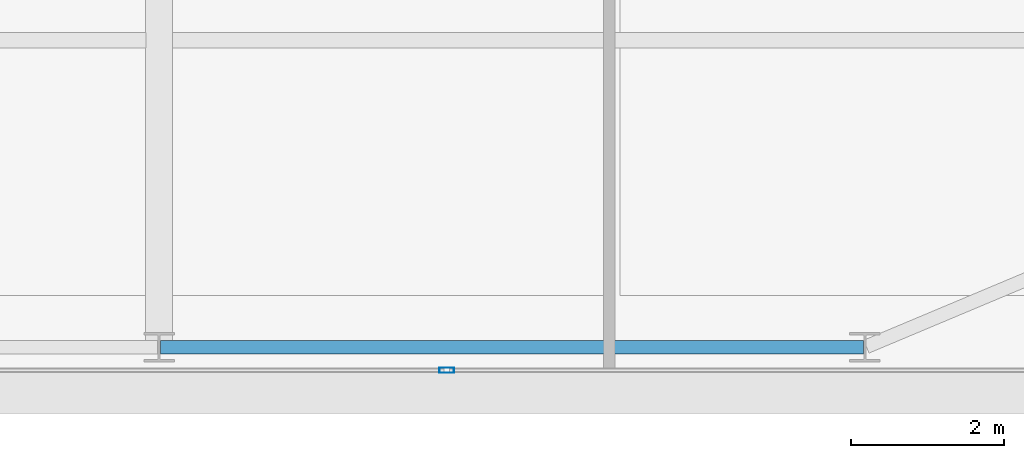
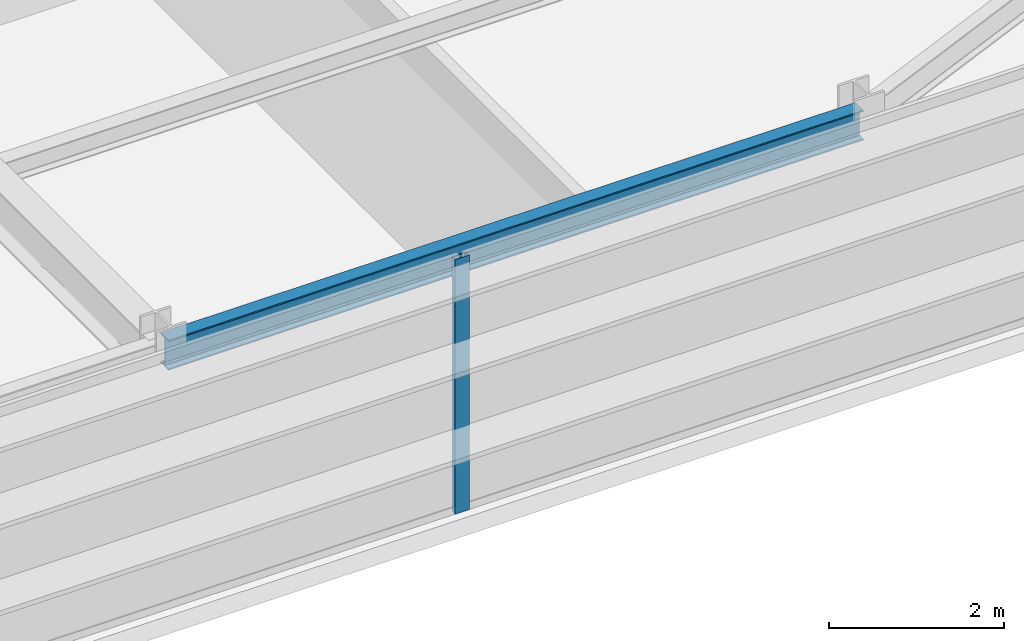
# One storey, part 12 of 33: 1 beam, 1 member, 1 element without a shape of its own.
"""IFC4 building model written with IfcOpenShell, lengths in metres."""

from ifc_helpers import new_model, si_unit, direction, frame, origin, origin_2d, place, context, subcontext, project, spatial, hollow_rectangle, i_section, extrude, source, transform, mapped, material, layer, layer_set, material_profile, profile_set, type_object, type_shapes, element, aggregate, save


model = new_model("IFC4")

# Units and contexts
model_context = context("Model", 3, precision=1e-05, world=origin(), true_north=direction((0.0, 1.0)))
body_context = subcontext(model_context, "Body", "Model", "MODEL_VIEW")
ifc_project = project(units=[si_unit("LENGTHUNIT", "METRE"), si_unit("AREAUNIT", "SQUARE_METRE"), si_unit("VOLUMEUNIT", "CUBIC_METRE"), si_unit("PLANEANGLEUNIT", "RADIAN"), si_unit("MASSUNIT", "GRAM", prefix="KILO")], contexts=[model_context])

# Site, building, storey
site_placement = place(None, origin())
site = spatial("IfcSite", under=ifc_project, at=site_placement, CompositionType="ELEMENT")
building_placement = place(site_placement, origin())
building = spatial("IfcBuilding", under=site, at=building_placement, Name="Varnel Quay Broadcast Tower", CompositionType="ELEMENT")
storey_placement = place(building_placement, frame((0.0, 0.0, 129.60009765625)))
storey = spatial("IfcBuildingStorey", under=building, at=storey_placement, Name="L31", CompositionType="ELEMENT", Elevation=129.60009765625)

# Beam
ifc_material_1 = material(Name="Structural Steel CSA G40.21 350W", Category="steel")
ifc_material_profile_1 = material_profile(ifc_material_1, i_section(OverallWidth=0.180908203125, OverallDepth=0.4169921875, WebThickness=0.010986328125, FlangeThickness=0.018310546875, FilletRadius=0.011962890625, at=origin_2d()), Name="W410X85")
ifc_profile_set_1 = profile_set([ifc_material_profile_1], Name="Structural Steel CSA G40.21 350W")
beam_type = type_object("IfcBeamType", Name="Beam_W410X85", PredefinedType="SPANDREL", material=ifc_profile_set_1)
shared_shape_1 = source(origin(), body_context, "Body", "SweptSolid", [
    extrude(i_section(OverallWidth=0.180908203125, OverallDepth=0.4169921875, WebThickness=0.010986328125, FlangeThickness=0.018310546875, FilletRadius=0.011962890625, at=origin_2d()), origin(), (0.0, 0.0, 1.0), 9.159912109375),
])
type_shapes(beam_type, [shared_shape_1])
beam_placement = place(storey_placement, frame((43.219970703125, 4.64990234375, 3.34130859375), z_axis=(1.0, 0.0, 0.0), x_axis=(0.0, 1.0, 0.0)))
element("IfcBeam", 1, at=beam_placement, inside=storey, type_object=beam_type, Name="L31 South Spandrel TC-S4-TC-S5", PredefinedType="SPANDREL", context=body_context, shape_type="MappedRepresentation", body=[
    mapped(shared_shape_1, transform((0.0, 0.0, 0.0), x_axis=(1.0, 0.0, 0.0), y_axis=(0.0, 1.0, 0.0), z_axis=(0.0, 0.0, 1.0), scale=1.0)),
])

# Curtain wall, member
ifc_material_2 = material(Name="Anodised Bronze Aluminium 6063-T6", Category="aluminium")
ifc_layer = layer(ifc_material_2, 0.18994140625, Name="Anodised Bronze Aluminium 6063-T6")
ifc_layer_set = layer_set([ifc_layer], Name="Anodised Bronze Aluminium 6063-T6")
curtain_wall_type = type_object("IfcCurtainWallType", Name="CW_LowerTower", PredefinedType="NOTDEFINED", material=ifc_layer_set)
curtain_wall_placement = place(storey_placement, origin())
curtain_wall = element("IfcCurtainWall", 2, at=curtain_wall_placement, inside=storey, type_object=curtain_wall_type, Name="L31 South Unitised Curtain Wall 1", PredefinedType="NOTDEFINED")
ifc_material_profile_2 = material_profile(ifc_material_2, hollow_rectangle(XDim=0.070068359375, YDim=0.18994140625, WallThickness=0.00390625, at=origin_2d()), Name="ALU70X190X4")
ifc_profile_set_2 = profile_set([ifc_material_profile_2], Name="Anodised Bronze Aluminium 6063-T6")
member_type = type_object("IfcMemberType", Name="Mull_CWS-02", PredefinedType="MULLION", material=ifc_profile_set_2)
shared_shape_2 = source(origin(), body_context, "Body", "SweptSolid", [
    extrude(hollow_rectangle(XDim=0.070068359375, YDim=0.18994140625, WallThickness=0.00390625, at=origin_2d()), origin(), (0.0, 0.0, 1.0), 3.5498046875),
])
type_shapes(member_type, [shared_shape_2])
member_placement = place(storey_placement, frame((46.949951171875, 4.35009765625, 0.0), z_axis=(0.0, 0.0, 1.0), x_axis=(0.0, 1.0, 0.0)))
member = element("IfcMember", 3, at=member_placement, type_object=member_type, Name="CWS-02 mullion 4", PredefinedType="MULLION", context=body_context, shape_type="MappedRepresentation", body=[
    mapped(shared_shape_2, transform((0.0, 0.0, 0.0), x_axis=(1.0, 0.0, 0.0), y_axis=(0.0, 1.0, 0.0), z_axis=(0.0, 0.0, 1.0), scale=1.0)),
])
aggregate(curtain_wall, [member])

save(model, "model.ifc")
